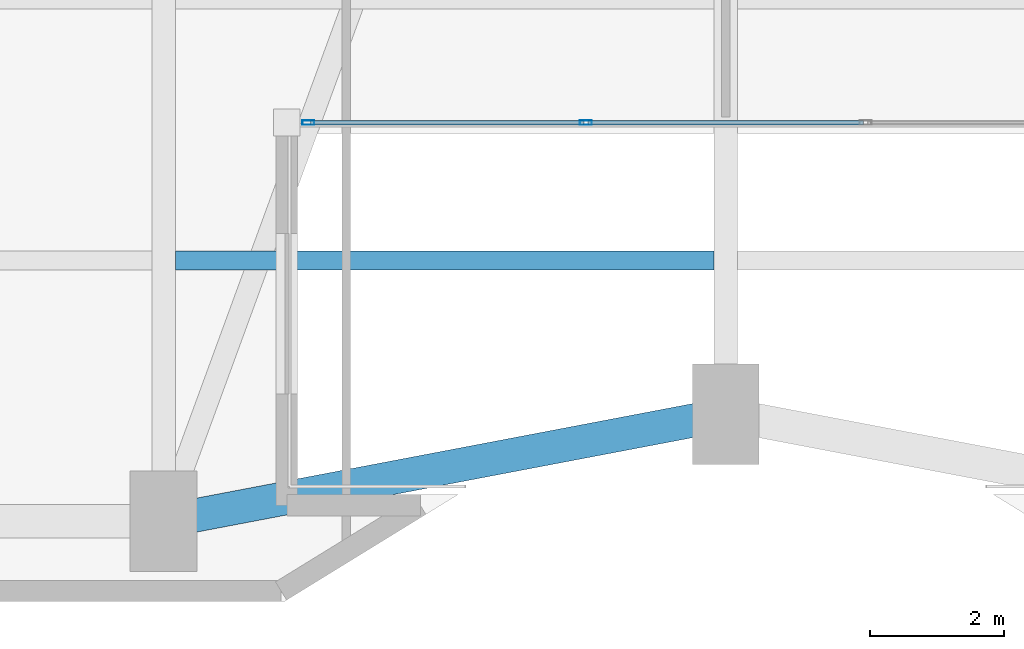
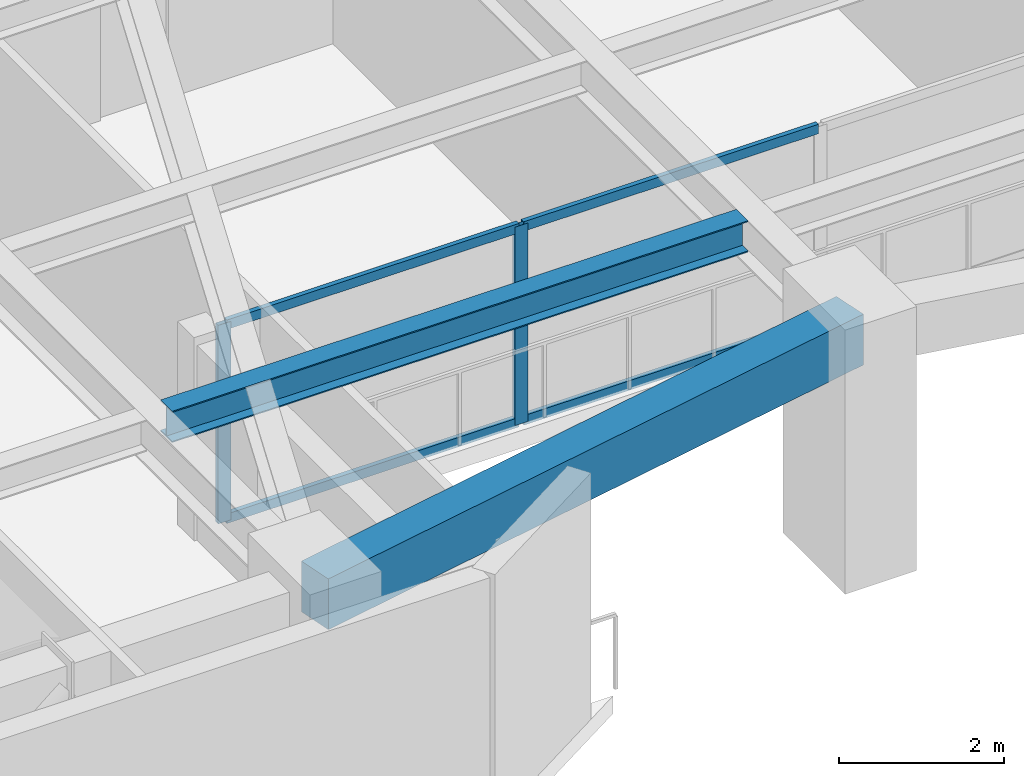
# One storey, part 2 of 26: 6 members, 2 beams, 1 element without a shape of its own.
"""IFC4 building model written with IfcOpenShell, lengths in metres."""

from ifc_helpers import new_model, si_unit, direction, frame, origin, origin_2d, place, context, subcontext, project, spatial, rectangle, hollow_rectangle, i_section, extrude, material, layer, layer_set, material_profile, profile_set, type_object, element, aggregate, save


model = new_model("IFC4")

# Units and contexts
model_context = context("Model", 3, precision=1e-05, world=origin(), true_north=direction((0.0, 1.0)))
body_context = subcontext(model_context, "Body", "Model", "MODEL_VIEW")
ifc_project = project(units=[si_unit("LENGTHUNIT", "METRE"), si_unit("AREAUNIT", "SQUARE_METRE"), si_unit("VOLUMEUNIT", "CUBIC_METRE"), si_unit("PLANEANGLEUNIT", "RADIAN"), si_unit("MASSUNIT", "GRAM", prefix="KILO")], contexts=[model_context])

# Site, building, storey
site_placement = place(None, origin())
site = spatial("IfcSite", under=ifc_project, at=site_placement, CompositionType="ELEMENT")
building_placement = place(site_placement, origin())
building = spatial("IfcBuilding", under=site, at=building_placement, Name="Kiyonajd Concourse Tower", CompositionType="ELEMENT")
storey_placement = place(building_placement, frame((0.0, 0.0, 72.89990234375)))
storey = spatial("IfcBuildingStorey", under=building, at=storey_placement, Name="L19", CompositionType="ELEMENT", Elevation=72.89990234375)

# Beams
ifc_material_1 = material(Name="Steel ASTM A992 Grade 50", Category="steel")
ifc_material_profile_1 = material_profile(ifc_material_1, i_section(OverallWidth=0.280029296875, OverallDepth=0.462890625, WebThickness=0.0107421875, FlangeThickness=0.017333984375, at=origin_2d()), Name="W460X113")
ifc_profile_set_1 = profile_set([ifc_material_profile_1], Name="Steel ASTM A992 Grade 50")
beam_type_1 = type_object("IfcBeamType", Name="BM-JST-460A", PredefinedType="JOIST", material=ifc_profile_set_1)
beam_1_placement = place(storey_placement, frame((39.777587890625, 14.699951171875, 3.40869140625), z_axis=(1.0, 0.0, 0.0), x_axis=(0.0, 1.0, 0.0)))
element("IfcBeam", 1, at=beam_1_placement, inside=storey, type_object=beam_type_1, Name="L19 Secondary Floor Joist", PredefinedType="JOIST", context=body_context, shape_type="SweptSolid", body=[
    extrude(i_section(OverallWidth=0.280029296875, OverallDepth=0.462890625, WebThickness=0.0107421875, FlangeThickness=0.017333984375, at=origin_2d()), origin(), (0.0, 0.0, 1.0), 8.044921875),
])
ifc_material_2 = material(Name="Precast concrete C50/60", Category="concrete")
ifc_material_profile_2 = material_profile(ifc_material_2, rectangle(XDim=0.5, YDim=0.75, at=origin_2d()), Name="RCBM-500x750")
ifc_profile_set_2 = profile_set([ifc_material_profile_2], Name="Precast concrete C50/60")
beam_type_2 = type_object("IfcBeamType", Name="BM-SPAN-RC", PredefinedType="SPANDREL", material=ifc_profile_set_2)
beam_2_placement = place(storey_placement, frame((39.60009765625, 10.800048828125, 3.26513671875), z_axis=(0.982341315253, 0.187097675953, 0.0), x_axis=(-0.187097675953, 0.982341315253, 0.0)))
element("IfcBeam", 2, at=beam_2_placement, inside=storey, type_object=beam_type_2, Name="L19 Perimeter Bundled Tube Spandrel", PredefinedType="SPANDREL", context=body_context, shape_type="SweptSolid", body=[
    extrude(rectangle(XDim=0.5, YDim=0.75, at=origin_2d()), origin(), (0.0, 0.0, 1.0), 8.55078125),
])

# Curtain wall, members
ifc_material_3 = material(Name="Thermally Broken Anodised Aluminium", Category="aluminium")
ifc_layer = layer(ifc_material_3, 0.179931640625)
ifc_layer_set = layer_set([ifc_layer], Name="Thermally Broken Anodised Aluminium")
curtain_wall_type = type_object("IfcCurtainWallType", Name="CW-SYS-02", PredefinedType="NOTDEFINED", material=ifc_layer_set)
curtain_wall_placement = place(storey_placement, origin())
curtain_wall = element("IfcCurtainWall", 3, at=curtain_wall_placement, inside=storey, type_object=curtain_wall_type, Name="L19 Unitised Curtain Wall CW2", PredefinedType="NOTDEFINED")
ifc_material_profile_3 = material_profile(ifc_material_3, hollow_rectangle(XDim=0.06494140625, YDim=0.179931640625, WallThickness=0.00390625, at=origin_2d()), Name="MULL-65x180")
ifc_profile_set_3 = profile_set([ifc_material_profile_3], Name="Thermally Broken Anodised Aluminium")
member_type_1 = type_object("IfcMemberType", Name="MB-CW-MULL1", PredefinedType="MULLION", material=ifc_profile_set_3)
member_1_placement = place(storey_placement, frame((45.909912109375, 16.760009765625, 0.0), z_axis=(0.0, 0.0, 1.0), x_axis=(0.0, -1.0, 0.0)))
member_1 = element("IfcMember", 4, at=member_1_placement, type_object=member_type_1, Name="CW2 mullion 3", PredefinedType="MULLION", context=body_context, shape_type="SweptSolid", body=[
    extrude(hollow_rectangle(XDim=0.06494140625, YDim=0.179931640625, WallThickness=0.00390625, at=origin_2d()), origin(), (0.0, 0.0, 1.0), 2.93017578125),
])
member_2_placement = place(storey_placement, frame((41.762451171875, 16.760009765625, 0.0), z_axis=(0.0, 0.0, 1.0), x_axis=(0.0, -1.0, 0.0)))
member_2 = element("IfcMember", 5, at=member_2_placement, type_object=member_type_1, Name="CW2 mullion 4", PredefinedType="MULLION", context=body_context, shape_type="SweptSolid", body=[
    extrude(hollow_rectangle(XDim=0.06494140625, YDim=0.179931640625, WallThickness=0.00390625, at=origin_2d()), origin(), (0.0, 0.0, 1.0), 2.93017578125),
])
ifc_material_profile_4 = material_profile(ifc_material_3, hollow_rectangle(XDim=0.06494140625, YDim=0.139892578125, WallThickness=0.00390625, at=origin_2d()), Name="TRAN-65x140")
ifc_profile_set_4 = profile_set([ifc_material_profile_4], Name="Thermally Broken Anodised Aluminium")
member_type_2 = type_object("IfcMemberType", Name="MB-CW-TRAN1", PredefinedType="USERDEFINED", material=ifc_profile_set_4)
member_3_placement = place(storey_placement, frame((50.0576171875, 16.760009765625, 0.03271484375), z_axis=(-1.0, 0.0, 0.0), x_axis=(0.0, -1.0, 0.0)))
member_3 = element("IfcMember", 6, at=member_3_placement, type_object=member_type_2, Name="CW2 transom 2.1", ObjectType="TRANSOM", PredefinedType="USERDEFINED", context=body_context, shape_type="SweptSolid", body=[
    extrude(hollow_rectangle(XDim=0.06494140625, YDim=0.139892578125, WallThickness=0.00390625, at=origin_2d()), origin(), (0.0, 0.0, 1.0), 4.115234375),
])
member_4_placement = place(storey_placement, frame((50.0576171875, 16.760009765625, 2.897705078125), z_axis=(-1.0, 0.0, 0.0), x_axis=(0.0, -1.0, 0.0)))
member_4 = element("IfcMember", 7, at=member_4_placement, type_object=member_type_2, Name="CW2 transom 2.2", ObjectType="TRANSOM", PredefinedType="USERDEFINED", context=body_context, shape_type="SweptSolid", body=[
    extrude(hollow_rectangle(XDim=0.06494140625, YDim=0.139892578125, WallThickness=0.00390625, at=origin_2d()), origin(), (0.0, 0.0, 1.0), 4.115234375),
])
member_5_placement = place(storey_placement, frame((45.87744140625, 16.760009765625, 0.03271484375), z_axis=(-1.0, 0.0, 0.0), x_axis=(0.0, -1.0, 0.0)))
member_5 = element("IfcMember", 8, at=member_5_placement, type_object=member_type_2, Name="CW2 transom 3.1", ObjectType="TRANSOM", PredefinedType="USERDEFINED", context=body_context, shape_type="SweptSolid", body=[
    extrude(hollow_rectangle(XDim=0.06494140625, YDim=0.139892578125, WallThickness=0.00390625, at=origin_2d()), origin(), (0.0, 0.0, 1.0), 4.08251953125),
])
member_6_placement = place(storey_placement, frame((45.87744140625, 16.760009765625, 2.897705078125), z_axis=(-1.0, 0.0, 0.0), x_axis=(0.0, -1.0, 0.0)))
member_6 = element("IfcMember", 9, at=member_6_placement, type_object=member_type_2, Name="CW2 transom 3.2", ObjectType="TRANSOM", PredefinedType="USERDEFINED", context=body_context, shape_type="SweptSolid", body=[
    extrude(hollow_rectangle(XDim=0.06494140625, YDim=0.139892578125, WallThickness=0.00390625, at=origin_2d()), origin(), (0.0, 0.0, 1.0), 4.08251953125),
])
aggregate(curtain_wall, [member_1, member_2, member_3, member_4, member_5, member_6])

save(model, "model.ifc")
